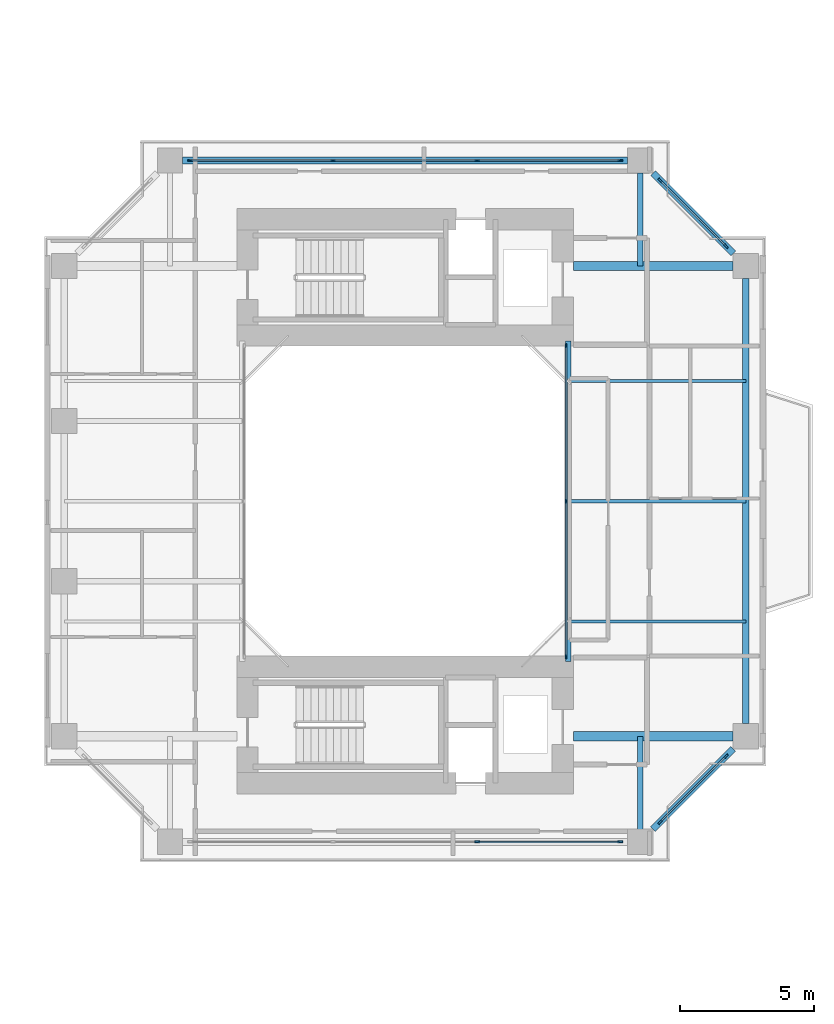
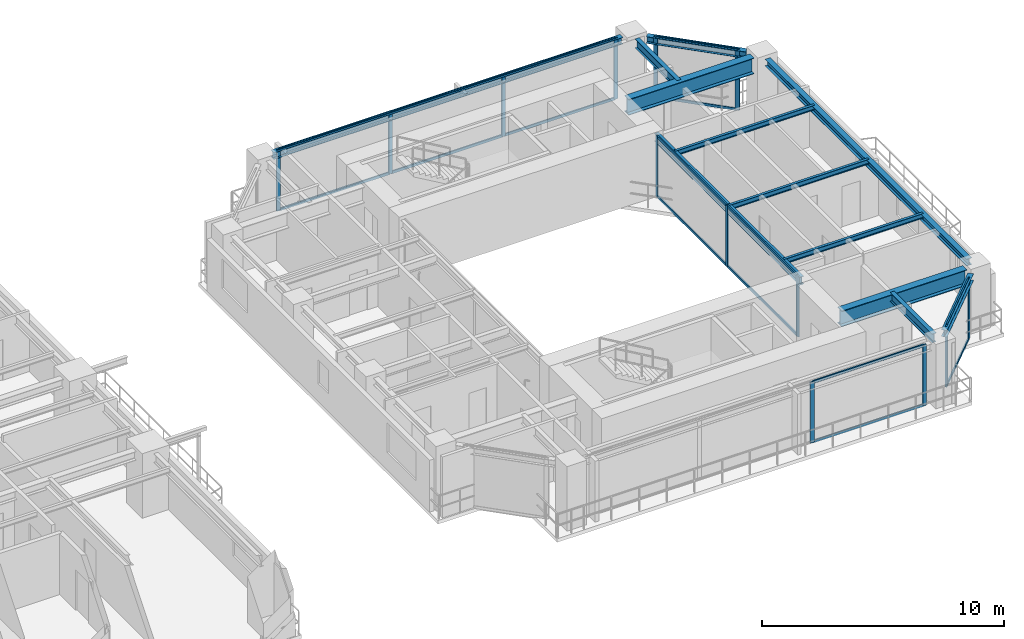
# One storey, part 10 of 23: 29 members, 12 beams, 5 elements without a shape of their own.
"""IFC4 building model written with IfcOpenShell, lengths in metres."""

from ifc_helpers import new_model, si_unit, direction, frame, origin, origin_2d, place, context, subcontext, project, spatial, rectangle, i_section, extrude, source, transform, mapped, material, layer, layer_set, material_profile, profile_set, type_object, element, aggregate, save


model = new_model("IFC4")

# Units and contexts
model_context = context("Model", 3, precision=1e-05, world=origin(), true_north=direction((0.0, 1.0)))
body_context = subcontext(model_context, "Body", "Model", "MODEL_VIEW")
ifc_project = project(units=[si_unit("LENGTHUNIT", "METRE"), si_unit("AREAUNIT", "SQUARE_METRE"), si_unit("VOLUMEUNIT", "CUBIC_METRE"), si_unit("PLANEANGLEUNIT", "RADIAN"), si_unit("MASSUNIT", "GRAM", prefix="KILO"), si_unit("THERMODYNAMICTEMPERATUREUNIT", "KELVIN"), si_unit("POWERUNIT", "WATT")], contexts=[model_context])

# Site, building, storey
site_placement = place(None, origin())
site = spatial("IfcSite", under=ifc_project, at=site_placement, CompositionType="ELEMENT")
building_placement = place(site_placement, origin())
building = spatial("IfcBuilding", under=site, at=building_placement, Name="Qiaomeng Ring Towers", CompositionType="ELEMENT")
storey_placement = place(building_placement, frame((0.0, 0.0, 26.25)))
storey = spatial("IfcBuildingStorey", under=building, at=storey_placement, Name="L06", CompositionType="ELEMENT", Elevation=26.25)

# Beams
ifc_material_1 = material(Name="Steel Q355B", Category="steel")
ifc_material_profile_1 = material_profile(ifc_material_1, i_section(OverallWidth=0.25, OverallDepth=0.340087890625, WebThickness=0.009033203125, FlangeThickness=0.013916015625, FilletRadius=0.02001953125, at=origin_2d()), Name="HM 340x250x9x14")
ifc_profile_set_1 = profile_set([ifc_material_profile_1], Name="Steel Q355B")
beam_type_1 = type_object("IfcBeamType", Name="STR-BM-HM340", PredefinedType="SPANDREL", material=ifc_profile_set_1)
shared_shape_1 = source(origin(), body_context, "Body", "SweptSolid", [
    extrude(i_section(OverallWidth=0.25, OverallDepth=0.340087890625, WebThickness=0.009033203125, FlangeThickness=0.013916015625, FilletRadius=0.02001953125, at=origin_2d()), origin(), (0.0, 0.0, 1.0), 16.65185546875),
])
for number, where, z_axis, x_axis, name in (
    (1, (73.25, 14.674072265625, 2.89990234375), (0.0, 1.0, 0.0), (-1.0, 0.0, 0.0), "L06 beam STR-SP-L06-T2-E1-E2"),
    (2, (68.825927734375, 35.75, 2.89990234375), (-1.0, 0.0, 0.0), (0.0, -1.0, 0.0), "L06 beam STR-SP-L06-T2-N2-N1"),
):
    element("IfcBeam", number, at=place(storey_placement, frame(where, z_axis=z_axis, x_axis=x_axis)), inside=storey, type_object=beam_type_1, Name=name, PredefinedType="SPANDREL", context=body_context, shape_type="MappedRepresentation", body=[
        mapped(shared_shape_1, transform((0.0, 0.0, 0.0), x_axis=(1.0, 0.0, 0.0), y_axis=(0.0, 1.0, 0.0), z_axis=(0.0, 0.0, 1.0), scale=1.0)),
    ])
shared_shape_2 = source(origin(), body_context, "Body", "SweptSolid", [
    extrude(i_section(OverallWidth=0.25, OverallDepth=0.340087890625, WebThickness=0.009033203125, FlangeThickness=0.013916015625, FilletRadius=0.02001953125, at=origin_2d()), origin(), (0.0, 0.0, 1.0), 4.244384765625),
])
for number, where, z_axis, x_axis, name in (
    (3, (69.7744140625, 10.724365234375, 2.89990234375), (0.707106781187, 0.707106781187, 0.0), (-0.707106781187, 0.707106781187, 0.0), "L06 beam STR-SP-L06-T2-S2-E1"),
    (4, (72.775634765625, 32.2744140625, 2.89990234375), (-0.707106781187, 0.707106781187, 0.0), (-0.707106781187, -0.707106781187, 0.0), "L06 beam STR-SP-L06-T2-E2-N2"),
):
    element("IfcBeam", number, at=place(storey_placement, frame(where, z_axis=z_axis, x_axis=x_axis)), inside=storey, type_object=beam_type_1, Name=name, PredefinedType="SPANDREL", context=body_context, shape_type="MappedRepresentation", body=[
        mapped(shared_shape_2, transform((0.0, 0.0, 0.0), x_axis=(1.0, 0.0, 0.0), y_axis=(0.0, 1.0, 0.0), z_axis=(0.0, 0.0, 1.0), scale=1.0)),
    ])
ifc_material_profile_2 = material_profile(ifc_material_1, i_section(OverallWidth=0.199951171875, OverallDepth=0.39990234375, WebThickness=0.008056640625, FlangeThickness=0.012939453125, FilletRadius=0.01611328125, at=origin_2d()), Name="HN 400x200x8x13")
ifc_profile_set_2 = profile_set([ifc_material_profile_2], Name="Steel Q355B")
beam_type_2 = type_object("IfcBeamType", Name="STR-BM-HN400", PredefinedType="SPANDREL", material=ifc_profile_set_2)
shared_shape_3 = source(origin(), body_context, "Body", "SweptSolid", [
    extrude(i_section(OverallWidth=0.199951171875, OverallDepth=0.39990234375, WebThickness=0.008056640625, FlangeThickness=0.012939453125, FilletRadius=0.01611328125, at=origin_2d()), origin(), (0.0, 0.0, 1.0), 12.0),
])
beam_placement = place(storey_placement, frame((66.60009765625, 17.0, 2.8701171875), z_axis=(0.0, 1.0, 0.0), x_axis=(-1.0, 0.0, 0.0)))
element("IfcBeam", 5, at=beam_placement, inside=storey, type_object=beam_type_2, Name="L06 beam STR-BM-L06-T2-WELL-E", PredefinedType="SPANDREL", context=body_context, shape_type="MappedRepresentation", body=[
    mapped(shared_shape_3, transform((0.0, 0.0, 0.0), x_axis=(1.0, 0.0, 0.0), y_axis=(0.0, 1.0, 0.0), z_axis=(0.0, 0.0, 1.0), scale=1.0)),
])
ifc_material_2 = material(Name="Steel Q390GJC", Category="steel")
ifc_material_profile_3 = material_profile(ifc_material_2, i_section(OverallWidth=0.35009765625, OverallDepth=0.800048828125, WebThickness=0.01611328125, FlangeThickness=0.028076171875, at=origin_2d()), Name="WH 800x350x16x28")
ifc_profile_set_3 = profile_set([ifc_material_profile_3], Name="Steel Q390GJC")
beam_type_3 = type_object("IfcBeamType", Name="STR-BM-WH800", PredefinedType="BEAM", material=ifc_profile_set_3)
shared_shape_4 = source(origin(), body_context, "Body", "SweptSolid", [
    extrude(i_section(OverallWidth=0.35009765625, OverallDepth=0.800048828125, WebThickness=0.01611328125, FlangeThickness=0.028076171875, at=origin_2d()), origin(), (0.0, 0.0, 1.0), 5.975830078125),
])
for number, where, z_axis, x_axis, name in (
    (6, (66.800048828125, 14.199951171875, 2.669921875), (1.0, 0.0, 0.0), (0.0, 1.0, 0.0), "L06 beam STR-BM-L06-T2-RAD-E1"),
    (7, (66.800048828125, 31.800048828125, 2.669921875), (1.0, 0.0, 0.0), (0.0, 1.0, 0.0), "L06 beam STR-BM-L06-T2-RAD-E2"),
):
    element("IfcBeam", number, at=place(storey_placement, frame(where, z_axis=z_axis, x_axis=x_axis)), inside=storey, type_object=beam_type_3, Name=name, PredefinedType="BEAM", context=body_context, shape_type="MappedRepresentation", body=[
        mapped(shared_shape_4, transform((0.0, 0.0, 0.0), x_axis=(1.0, 0.0, 0.0), y_axis=(0.0, 1.0, 0.0), z_axis=(0.0, 0.0, 1.0), scale=1.0)),
    ])
ifc_material_profile_4 = material_profile(ifc_material_1, i_section(OverallWidth=0.199951171875, OverallDepth=0.449951171875, WebThickness=0.009033203125, FlangeThickness=0.013916015625, FilletRadius=0.01806640625, at=origin_2d()), Name="HN 450x200x9x14")
ifc_profile_set_4 = profile_set([ifc_material_profile_4], Name="Steel Q355B")
beam_type_4 = type_object("IfcBeamType", Name="STR-BM-HN450", PredefinedType="SPANDREL", material=ifc_profile_set_4)
shared_shape_5 = source(origin(), body_context, "Body", "SweptSolid", [
    extrude(i_section(OverallWidth=0.199951171875, OverallDepth=0.449951171875, WebThickness=0.009033203125, FlangeThickness=0.013916015625, FilletRadius=0.01806640625, at=origin_2d()), origin(), (0.0, 0.0, 1.0), 3.475830078125),
])
for number, where, z_axis, x_axis, name in (
    (8, (69.300048828125, 35.27587890625, 2.844970703125), (0.0, -1.0, 0.0), (1.0, 0.0, 0.0), "L06 beam STR-BM-L06-T2-RAD-N2"),
    (9, (69.300048828125, 10.72412109375, 2.844970703125), (0.0, 1.0, 0.0), (-1.0, 0.0, 0.0), "L06 beam STR-BM-L06-T2-RAD-S2"),
):
    element("IfcBeam", number, at=place(storey_placement, frame(where, z_axis=z_axis, x_axis=x_axis)), inside=storey, type_object=beam_type_4, Name=name, PredefinedType="SPANDREL", context=body_context, shape_type="MappedRepresentation", body=[
        mapped(shared_shape_5, transform((0.0, 0.0, 0.0), x_axis=(1.0, 0.0, 0.0), y_axis=(0.0, 1.0, 0.0), z_axis=(0.0, 0.0, 1.0), scale=1.0)),
    ])
ifc_material_profile_5 = material_profile(ifc_material_1, i_section(OverallWidth=0.125, OverallDepth=0.25, WebThickness=0.006103515625, FlangeThickness=0.009033203125, FilletRadius=0.011962890625, at=origin_2d()), Name="HN 250x125x6x9")
ifc_profile_set_5 = profile_set([ifc_material_profile_5], Name="Steel Q355B")
beam_type_5 = type_object("IfcBeamType", Name="STR-BM-HN250", PredefinedType="JOIST", material=ifc_profile_set_5)
shared_shape_6 = source(origin(), body_context, "Body", "SweptSolid", [
    extrude(i_section(OverallWidth=0.125, OverallDepth=0.25, WebThickness=0.006103515625, FlangeThickness=0.009033203125, FilletRadius=0.011962890625, at=origin_2d()), origin(), (0.0, 0.0, 1.0), 6.64990234375),
])
for number, where, z_axis, x_axis, name in (
    (10, (66.60009765625, 18.5, 2.945068359375), (1.0, 0.0, 0.0), (0.0, 1.0, 0.0), "L06 beam STR-JST-L06-T2E-1"),
    (11, (66.60009765625, 23.0, 2.945068359375), (1.0, 0.0, 0.0), (0.0, 1.0, 0.0), "L06 beam STR-JST-L06-T2E-2"),
    (12, (66.60009765625, 27.5, 2.945068359375), (1.0, 0.0, 0.0), (0.0, 1.0, 0.0), "L06 beam STR-JST-L06-T2E-3"),
):
    element("IfcBeam", number, at=place(storey_placement, frame(where, z_axis=z_axis, x_axis=x_axis)), inside=storey, type_object=beam_type_5, Name=name, PredefinedType="JOIST", context=body_context, shape_type="MappedRepresentation", body=[
        mapped(shared_shape_6, transform((0.0, 0.0, 0.0), x_axis=(1.0, 0.0, 0.0), y_axis=(0.0, 1.0, 0.0), z_axis=(0.0, 0.0, 1.0), scale=1.0)),
    ])

# Curtain wall, members
ifc_material_3 = material(Name="Fluorocarbon dark-grey aluminium", Category="aluminium")
ifc_layer_1 = layer(ifc_material_3, 0.139892578125, Name="Fluorocarbon dark-grey aluminium")
ifc_layer_set_1 = layer_set([ifc_layer_1], Name="Fluorocarbon dark-grey aluminium")
curtain_wall_type_1 = type_object("IfcCurtainWallType", Name="ARC-CW-4", PredefinedType="NOTDEFINED", material=ifc_layer_set_1)
curtain_wall_1_placement = place(storey_placement, origin())
curtain_wall_1 = element("IfcCurtainWall", 13, at=curtain_wall_1_placement, inside=storey, type_object=curtain_wall_type_1, Name="L06 Curtain Wall CW4", PredefinedType="NOTDEFINED")
ifc_material_profile_6 = material_profile(ifc_material_3, rectangle(XDim=0.06494140625, YDim=0.159912109375, at=origin_2d()), Name="ALU MULL 65x160")
ifc_profile_set_6 = profile_set([ifc_material_profile_6], Name="Fluorocarbon dark-grey aluminium")
member_type_1 = type_object("IfcMemberType", Name="ARC-CWM-140", PredefinedType="MULLION", material=ifc_profile_set_6)
shared_shape_7 = source(origin(), body_context, "Body", "SweptSolid", [
    extrude(rectangle(XDim=0.06494140625, YDim=0.159912109375, at=origin_2d()), origin(), (0.0, 0.0, 1.0), 3.070068359375),
])
member_1_placement = place(storey_placement, frame((66.52001953125, 17.1826171875, 0.0), z_axis=(0.0, 0.0, 1.0), x_axis=(-1.0, 0.0, 0.0)))
member_1 = element("IfcMember", 14, at=member_1_placement, type_object=member_type_1, Name="CW4 mullion 1", PredefinedType="MULLION", context=body_context, shape_type="MappedRepresentation", body=[
    mapped(shared_shape_7, transform((0.0, 0.0, 0.0), x_axis=(1.0, 0.0, 0.0), y_axis=(0.0, 1.0, 0.0), z_axis=(0.0, 0.0, 1.0), scale=1.0)),
])
member_2_placement = place(storey_placement, frame((66.52001953125, 23.0, 0.0), z_axis=(0.0, 0.0, 1.0), x_axis=(-1.0, 0.0, 0.0)))
member_2 = element("IfcMember", 15, at=member_2_placement, type_object=member_type_1, Name="CW4 mullion 2", PredefinedType="MULLION", context=body_context, shape_type="MappedRepresentation", body=[
    mapped(shared_shape_7, transform((0.0, 0.0, 0.0), x_axis=(1.0, 0.0, 0.0), y_axis=(0.0, 1.0, 0.0), z_axis=(0.0, 0.0, 1.0), scale=1.0)),
])
member_3_placement = place(storey_placement, frame((66.52001953125, 28.8173828125, 0.0), z_axis=(0.0, 0.0, 1.0), x_axis=(-1.0, 0.0, 0.0)))
member_3 = element("IfcMember", 16, at=member_3_placement, type_object=member_type_1, Name="CW4 mullion 3", PredefinedType="MULLION", context=body_context, shape_type="MappedRepresentation", body=[
    mapped(shared_shape_7, transform((0.0, 0.0, 0.0), x_axis=(1.0, 0.0, 0.0), y_axis=(0.0, 1.0, 0.0), z_axis=(0.0, 0.0, 1.0), scale=1.0)),
])
ifc_material_profile_7 = material_profile(ifc_material_3, rectangle(XDim=0.06494140625, YDim=0.1298828125, at=origin_2d()), Name="ALU TRAN 65x130")
ifc_profile_set_7 = profile_set([ifc_material_profile_7], Name="Fluorocarbon dark-grey aluminium")
member_type_2 = type_object("IfcMemberType", Name="ARC-CWT-120", PredefinedType="USERDEFINED", material=ifc_profile_set_7)
shared_shape_8 = source(origin(), body_context, "Body", "SweptSolid", [
    extrude(rectangle(XDim=0.06494140625, YDim=0.1298828125, at=origin_2d()), origin(), (0.0, 0.0, 1.0), 5.75244140625),
])
member_4_placement = place(storey_placement, frame((66.52001953125, 17.215087890625, 0.032470703125), z_axis=(0.0, 1.0, 0.0), x_axis=(-1.0, 0.0, 0.0)))
member_4 = element("IfcMember", 17, at=member_4_placement, type_object=member_type_2, Name="CW4 transom 1.1", ObjectType="TRANSOM", PredefinedType="USERDEFINED", context=body_context, shape_type="MappedRepresentation", body=[
    mapped(shared_shape_8, transform((0.0, 0.0, 0.0), x_axis=(1.0, 0.0, 0.0), y_axis=(0.0, 1.0, 0.0), z_axis=(0.0, 0.0, 1.0), scale=1.0)),
])
member_5_placement = place(storey_placement, frame((66.52001953125, 17.215087890625, 3.03759765625), z_axis=(0.0, 1.0, 0.0), x_axis=(-1.0, 0.0, 0.0)))
member_5 = element("IfcMember", 18, at=member_5_placement, type_object=member_type_2, Name="CW4 transom 1.2", ObjectType="TRANSOM", PredefinedType="USERDEFINED", context=body_context, shape_type="MappedRepresentation", body=[
    mapped(shared_shape_8, transform((0.0, 0.0, 0.0), x_axis=(1.0, 0.0, 0.0), y_axis=(0.0, 1.0, 0.0), z_axis=(0.0, 0.0, 1.0), scale=1.0)),
])
member_6_placement = place(storey_placement, frame((66.52001953125, 23.032470703125, 0.032470703125), z_axis=(0.0, 1.0, 0.0), x_axis=(-1.0, 0.0, 0.0)))
member_6 = element("IfcMember", 19, at=member_6_placement, type_object=member_type_2, Name="CW4 transom 2.1", ObjectType="TRANSOM", PredefinedType="USERDEFINED", context=body_context, shape_type="MappedRepresentation", body=[
    mapped(shared_shape_8, transform((0.0, 0.0, 0.0), x_axis=(1.0, 0.0, 0.0), y_axis=(0.0, 1.0, 0.0), z_axis=(0.0, 0.0, 1.0), scale=1.0)),
])
member_7_placement = place(storey_placement, frame((66.52001953125, 23.032470703125, 3.03759765625), z_axis=(0.0, 1.0, 0.0), x_axis=(-1.0, 0.0, 0.0)))
member_7 = element("IfcMember", 20, at=member_7_placement, type_object=member_type_2, Name="CW4 transom 2.2", ObjectType="TRANSOM", PredefinedType="USERDEFINED", context=body_context, shape_type="MappedRepresentation", body=[
    mapped(shared_shape_8, transform((0.0, 0.0, 0.0), x_axis=(1.0, 0.0, 0.0), y_axis=(0.0, 1.0, 0.0), z_axis=(0.0, 0.0, 1.0), scale=1.0)),
])
aggregate(curtain_wall_1, [member_1, member_2, member_3, member_4, member_5, member_6, member_7])

ifc_layer_2 = layer(ifc_material_3, 0.14990234375, Name="Fluorocarbon dark-grey aluminium")
ifc_layer_set_2 = layer_set([ifc_layer_2], Name="Fluorocarbon dark-grey aluminium")
curtain_wall_type_2 = type_object("IfcCurtainWallType", Name="ARC-CW-5", PredefinedType="NOTDEFINED", material=ifc_layer_set_2)
curtain_wall_2_placement = place(storey_placement, origin())
curtain_wall_2 = element("IfcCurtainWall", 21, at=curtain_wall_2_placement, inside=storey, type_object=curtain_wall_type_2, Name="L06 Curtain Wall CW5", PredefinedType="NOTDEFINED")
ifc_material_profile_8 = material_profile(ifc_material_3, rectangle(XDim=0.070068359375, YDim=0.179931640625, at=origin_2d()), Name="ALU MULL 70x180")
ifc_profile_set_8 = profile_set([ifc_material_profile_8], Name="Fluorocarbon dark-grey aluminium")
member_type_3 = type_object("IfcMemberType", Name="ARC-CWM-160", PredefinedType="MULLION", material=ifc_profile_set_8)
shared_shape_9 = source(origin(), body_context, "Body", "SweptSolid", [
    extrude(rectangle(XDim=0.070068359375, YDim=0.179931640625, at=origin_2d()), origin(), (0.0, 0.0, 1.0), 3.070068359375),
])
member_8_placement = place(storey_placement, frame((52.449951171875, 35.75, 0.0), z_axis=(0.0, 0.0, 1.0), x_axis=(0.0, 1.0, 0.0)))
member_8 = element("IfcMember", 22, at=member_8_placement, type_object=member_type_3, Name="CW5 mullion 1", PredefinedType="MULLION", context=body_context, shape_type="MappedRepresentation", body=[
    mapped(shared_shape_9, transform((0.0, 0.0, 0.0), x_axis=(1.0, 0.0, 0.0), y_axis=(0.0, 1.0, 0.0), z_axis=(0.0, 0.0, 1.0), scale=1.0)),
])
member_9_placement = place(storey_placement, frame((57.804931640625, 35.75, 0.0), z_axis=(0.0, 0.0, 1.0), x_axis=(0.0, 1.0, 0.0)))
member_9 = element("IfcMember", 23, at=member_9_placement, type_object=member_type_3, Name="CW5 mullion 2", PredefinedType="MULLION", context=body_context, shape_type="MappedRepresentation", body=[
    mapped(shared_shape_9, transform((0.0, 0.0, 0.0), x_axis=(1.0, 0.0, 0.0), y_axis=(0.0, 1.0, 0.0), z_axis=(0.0, 0.0, 1.0), scale=1.0)),
])
member_10_placement = place(storey_placement, frame((63.195068359375, 35.75, 0.0), z_axis=(0.0, 0.0, 1.0), x_axis=(0.0, 1.0, 0.0)))
member_10 = element("IfcMember", 24, at=member_10_placement, type_object=member_type_3, Name="CW5 mullion 3", PredefinedType="MULLION", context=body_context, shape_type="MappedRepresentation", body=[
    mapped(shared_shape_9, transform((0.0, 0.0, 0.0), x_axis=(1.0, 0.0, 0.0), y_axis=(0.0, 1.0, 0.0), z_axis=(0.0, 0.0, 1.0), scale=1.0)),
])
member_11_placement = place(storey_placement, frame((68.550048828125, 35.75, 0.0), z_axis=(0.0, 0.0, 1.0), x_axis=(0.0, 1.0, 0.0)))
member_11 = element("IfcMember", 25, at=member_11_placement, type_object=member_type_3, Name="CW5 mullion 4", PredefinedType="MULLION", context=body_context, shape_type="MappedRepresentation", body=[
    mapped(shared_shape_9, transform((0.0, 0.0, 0.0), x_axis=(1.0, 0.0, 0.0), y_axis=(0.0, 1.0, 0.0), z_axis=(0.0, 0.0, 1.0), scale=1.0)),
])

curtain_wall_3_placement = place(storey_placement, origin())
curtain_wall_3 = element("IfcCurtainWall", 26, at=curtain_wall_3_placement, inside=storey, type_object=curtain_wall_type_2, Name="L06 Curtain Wall CW5", PredefinedType="NOTDEFINED")
member_12_placement = place(storey_placement, frame((70.039794921875, 10.98974609375, 0.0), z_axis=(0.0, 0.0, 1.0), x_axis=(-0.707106781187, 0.707106781187, 0.0)))
member_12 = element("IfcMember", 27, at=member_12_placement, type_object=member_type_3, Name="CW5 mullion 1", PredefinedType="MULLION", context=body_context, shape_type="MappedRepresentation", body=[
    mapped(shared_shape_9, transform((0.0, 0.0, 0.0), x_axis=(1.0, 0.0, 0.0), y_axis=(0.0, 1.0, 0.0), z_axis=(0.0, 0.0, 1.0), scale=1.0)),
])
member_13_placement = place(storey_placement, frame((72.51025390625, 13.460205078125, 0.0), z_axis=(0.0, 0.0, 1.0), x_axis=(-0.707106781187, 0.707106781187, 0.0)))
member_13 = element("IfcMember", 28, at=member_13_placement, type_object=member_type_3, Name="CW5 mullion 2", PredefinedType="MULLION", context=body_context, shape_type="MappedRepresentation", body=[
    mapped(shared_shape_9, transform((0.0, 0.0, 0.0), x_axis=(1.0, 0.0, 0.0), y_axis=(0.0, 1.0, 0.0), z_axis=(0.0, 0.0, 1.0), scale=1.0)),
])

curtain_wall_4_placement = place(storey_placement, origin())
curtain_wall_4 = element("IfcCurtainWall", 29, at=curtain_wall_4_placement, inside=storey, type_object=curtain_wall_type_2, Name="L06 Curtain Wall CW5", PredefinedType="NOTDEFINED")
member_14_placement = place(storey_placement, frame((72.51025390625, 32.539794921875, 0.0), z_axis=(0.0, 0.0, 1.0), x_axis=(-0.707106781187, -0.707106781187, 0.0)))
member_14 = element("IfcMember", 30, at=member_14_placement, type_object=member_type_3, Name="CW5 mullion 1", PredefinedType="MULLION", context=body_context, shape_type="MappedRepresentation", body=[
    mapped(shared_shape_9, transform((0.0, 0.0, 0.0), x_axis=(1.0, 0.0, 0.0), y_axis=(0.0, 1.0, 0.0), z_axis=(0.0, 0.0, 1.0), scale=1.0)),
])
member_15_placement = place(storey_placement, frame((70.039794921875, 35.01025390625, 0.0), z_axis=(0.0, 0.0, 1.0), x_axis=(-0.707106781187, -0.707106781187, 0.0)))
member_15 = element("IfcMember", 31, at=member_15_placement, type_object=member_type_3, Name="CW5 mullion 2", PredefinedType="MULLION", context=body_context, shape_type="MappedRepresentation", body=[
    mapped(shared_shape_9, transform((0.0, 0.0, 0.0), x_axis=(1.0, 0.0, 0.0), y_axis=(0.0, 1.0, 0.0), z_axis=(0.0, 0.0, 1.0), scale=1.0)),
])

curtain_wall_5_placement = place(storey_placement, origin())
curtain_wall_5 = element("IfcCurtainWall", 32, at=curtain_wall_5_placement, inside=storey, type_object=curtain_wall_type_2, Name="L06 Curtain Wall CW5", PredefinedType="NOTDEFINED")
member_16_placement = place(storey_placement, frame((63.195068359375, 10.25, 0.0), z_axis=(0.0, 0.0, 1.0), x_axis=(0.0, 1.0, 0.0)))
member_16 = element("IfcMember", 33, at=member_16_placement, type_object=member_type_3, Name="CW5 mullion 3", PredefinedType="MULLION", context=body_context, shape_type="MappedRepresentation", body=[
    mapped(shared_shape_9, transform((0.0, 0.0, 0.0), x_axis=(1.0, 0.0, 0.0), y_axis=(0.0, 1.0, 0.0), z_axis=(0.0, 0.0, 1.0), scale=1.0)),
])
member_17_placement = place(storey_placement, frame((68.550048828125, 10.25, 0.0), z_axis=(0.0, 0.0, 1.0), x_axis=(0.0, 1.0, 0.0)))
member_17 = element("IfcMember", 34, at=member_17_placement, type_object=member_type_3, Name="CW5 mullion 4", PredefinedType="MULLION", context=body_context, shape_type="MappedRepresentation", body=[
    mapped(shared_shape_9, transform((0.0, 0.0, 0.0), x_axis=(1.0, 0.0, 0.0), y_axis=(0.0, 1.0, 0.0), z_axis=(0.0, 0.0, 1.0), scale=1.0)),
])

# Member
shared_shape_10 = source(origin(), body_context, "Body", "SweptSolid", [
    extrude(rectangle(XDim=0.06494140625, YDim=0.1298828125, at=origin_2d()), origin(), (0.0, 0.0, 1.0), 5.284912109375),
])
member_18_placement = place(storey_placement, frame((52.485107421875, 35.75, 0.032470703125), z_axis=(1.0, 0.0, 0.0), x_axis=(0.0, 1.0, 0.0)))
member_18 = element("IfcMember", 35, at=member_18_placement, type_object=member_type_2, Name="CW5 transom 1.1", ObjectType="TRANSOM", PredefinedType="USERDEFINED", context=body_context, shape_type="MappedRepresentation", body=[
    mapped(shared_shape_10, transform((0.0, 0.0, 0.0), x_axis=(1.0, 0.0, 0.0), y_axis=(0.0, 1.0, 0.0), z_axis=(0.0, 0.0, 1.0), scale=1.0)),
])

member_19_placement = place(storey_placement, frame((52.485107421875, 35.75, 3.03759765625), z_axis=(1.0, 0.0, 0.0), x_axis=(0.0, 1.0, 0.0)))
member_19 = element("IfcMember", 36, at=member_19_placement, type_object=member_type_2, Name="CW5 transom 1.2", ObjectType="TRANSOM", PredefinedType="USERDEFINED", context=body_context, shape_type="MappedRepresentation", body=[
    mapped(shared_shape_10, transform((0.0, 0.0, 0.0), x_axis=(1.0, 0.0, 0.0), y_axis=(0.0, 1.0, 0.0), z_axis=(0.0, 0.0, 1.0), scale=1.0)),
])

member_20_placement = place(storey_placement, frame((63.22998046875, 35.75, 0.032470703125), z_axis=(1.0, 0.0, 0.0), x_axis=(0.0, 1.0, 0.0)))
member_20 = element("IfcMember", 37, at=member_20_placement, type_object=member_type_2, Name="CW5 transom 3.1", ObjectType="TRANSOM", PredefinedType="USERDEFINED", context=body_context, shape_type="MappedRepresentation", body=[
    mapped(shared_shape_10, transform((0.0, 0.0, 0.0), x_axis=(1.0, 0.0, 0.0), y_axis=(0.0, 1.0, 0.0), z_axis=(0.0, 0.0, 1.0), scale=1.0)),
])

member_21_placement = place(storey_placement, frame((63.22998046875, 35.75, 3.03759765625), z_axis=(1.0, 0.0, 0.0), x_axis=(0.0, 1.0, 0.0)))
member_21 = element("IfcMember", 38, at=member_21_placement, type_object=member_type_2, Name="CW5 transom 3.2", ObjectType="TRANSOM", PredefinedType="USERDEFINED", context=body_context, shape_type="MappedRepresentation", body=[
    mapped(shared_shape_10, transform((0.0, 0.0, 0.0), x_axis=(1.0, 0.0, 0.0), y_axis=(0.0, 1.0, 0.0), z_axis=(0.0, 0.0, 1.0), scale=1.0)),
])

member_22_placement = place(storey_placement, frame((63.22998046875, 10.25, 0.032470703125), z_axis=(1.0, 0.0, 0.0), x_axis=(0.0, 1.0, 0.0)))
member_22 = element("IfcMember", 39, at=member_22_placement, type_object=member_type_2, Name="CW5 transom 3.1", ObjectType="TRANSOM", PredefinedType="USERDEFINED", context=body_context, shape_type="MappedRepresentation", body=[
    mapped(shared_shape_10, transform((0.0, 0.0, 0.0), x_axis=(1.0, 0.0, 0.0), y_axis=(0.0, 1.0, 0.0), z_axis=(0.0, 0.0, 1.0), scale=1.0)),
])

member_23_placement = place(storey_placement, frame((63.22998046875, 10.25, 3.03759765625), z_axis=(1.0, 0.0, 0.0), x_axis=(0.0, 1.0, 0.0)))
member_23 = element("IfcMember", 40, at=member_23_placement, type_object=member_type_2, Name="CW5 transom 3.2", ObjectType="TRANSOM", PredefinedType="USERDEFINED", context=body_context, shape_type="MappedRepresentation", body=[
    mapped(shared_shape_10, transform((0.0, 0.0, 0.0), x_axis=(1.0, 0.0, 0.0), y_axis=(0.0, 1.0, 0.0), z_axis=(0.0, 0.0, 1.0), scale=1.0)),
])

aggregate(curtain_wall_5, [member_16, member_17, member_22, member_23])

shared_shape_11 = source(origin(), body_context, "Body", "SweptSolid", [
    extrude(rectangle(XDim=0.06494140625, YDim=0.1298828125, at=origin_2d()), origin(), (0.0, 0.0, 1.0), 5.31982421875),
])
member_24_placement = place(storey_placement, frame((57.840087890625, 35.75, 0.032470703125), z_axis=(1.0, 0.0, 0.0), x_axis=(0.0, 1.0, 0.0)))
member_24 = element("IfcMember", 41, at=member_24_placement, type_object=member_type_2, Name="CW5 transom 2.1", ObjectType="TRANSOM", PredefinedType="USERDEFINED", context=body_context, shape_type="MappedRepresentation", body=[
    mapped(shared_shape_11, transform((0.0, 0.0, 0.0), x_axis=(1.0, 0.0, 0.0), y_axis=(0.0, 1.0, 0.0), z_axis=(0.0, 0.0, 1.0), scale=1.0)),
])

member_25_placement = place(storey_placement, frame((57.840087890625, 35.75, 3.03759765625), z_axis=(1.0, 0.0, 0.0), x_axis=(0.0, 1.0, 0.0)))
member_25 = element("IfcMember", 42, at=member_25_placement, type_object=member_type_2, Name="CW5 transom 2.2", ObjectType="TRANSOM", PredefinedType="USERDEFINED", context=body_context, shape_type="MappedRepresentation", body=[
    mapped(shared_shape_11, transform((0.0, 0.0, 0.0), x_axis=(1.0, 0.0, 0.0), y_axis=(0.0, 1.0, 0.0), z_axis=(0.0, 0.0, 1.0), scale=1.0)),
])

aggregate(curtain_wall_2, [member_8, member_9, member_10, member_11, member_18, member_19, member_24, member_25, member_20, member_21])

shared_shape_12 = source(origin(), body_context, "Body", "SweptSolid", [
    extrude(rectangle(XDim=0.06494140625, YDim=0.1298828125, at=origin_2d()), origin(), (0.0, 0.0, 1.0), 3.424072265625),
])
member_26_placement = place(storey_placement, frame((70.064453125, 11.014404296875, 0.032470703125), z_axis=(0.707106781187, 0.707106781187, 0.0), x_axis=(-0.707106781187, 0.707106781187, 0.0)))
member_26 = element("IfcMember", 43, at=member_26_placement, type_object=member_type_2, Name="CW5 transom 1.1", ObjectType="TRANSOM", PredefinedType="USERDEFINED", context=body_context, shape_type="MappedRepresentation", body=[
    mapped(shared_shape_12, transform((0.0, 0.0, 0.0), x_axis=(1.0, 0.0, 0.0), y_axis=(0.0, 1.0, 0.0), z_axis=(0.0, 0.0, 1.0), scale=1.0)),
])

member_27_placement = place(storey_placement, frame((70.064453125, 11.014404296875, 3.03759765625), z_axis=(0.707106781187, 0.707106781187, 0.0), x_axis=(-0.707106781187, 0.707106781187, 0.0)))
member_27 = element("IfcMember", 44, at=member_27_placement, type_object=member_type_2, Name="CW5 transom 1.2", ObjectType="TRANSOM", PredefinedType="USERDEFINED", context=body_context, shape_type="MappedRepresentation", body=[
    mapped(shared_shape_12, transform((0.0, 0.0, 0.0), x_axis=(1.0, 0.0, 0.0), y_axis=(0.0, 1.0, 0.0), z_axis=(0.0, 0.0, 1.0), scale=1.0)),
])

aggregate(curtain_wall_3, [member_12, member_13, member_26, member_27])

member_28_placement = place(storey_placement, frame((72.485595703125, 32.564453125, 0.032470703125), z_axis=(-0.707106781187, 0.707106781187, 0.0), x_axis=(-0.707106781187, -0.707106781187, 0.0)))
member_28 = element("IfcMember", 45, at=member_28_placement, type_object=member_type_2, Name="CW5 transom 1.1", ObjectType="TRANSOM", PredefinedType="USERDEFINED", context=body_context, shape_type="MappedRepresentation", body=[
    mapped(shared_shape_12, transform((0.0, 0.0, 0.0), x_axis=(1.0, 0.0, 0.0), y_axis=(0.0, 1.0, 0.0), z_axis=(0.0, 0.0, 1.0), scale=1.0)),
])

member_29_placement = place(storey_placement, frame((72.485595703125, 32.564453125, 3.03759765625), z_axis=(-0.707106781187, 0.707106781187, 0.0), x_axis=(-0.707106781187, -0.707106781187, 0.0)))
member_29 = element("IfcMember", 46, at=member_29_placement, type_object=member_type_2, Name="CW5 transom 1.2", ObjectType="TRANSOM", PredefinedType="USERDEFINED", context=body_context, shape_type="MappedRepresentation", body=[
    mapped(shared_shape_12, transform((0.0, 0.0, 0.0), x_axis=(1.0, 0.0, 0.0), y_axis=(0.0, 1.0, 0.0), z_axis=(0.0, 0.0, 1.0), scale=1.0)),
])

aggregate(curtain_wall_4, [member_14, member_15, member_28, member_29])

save(model, "model.ifc")
